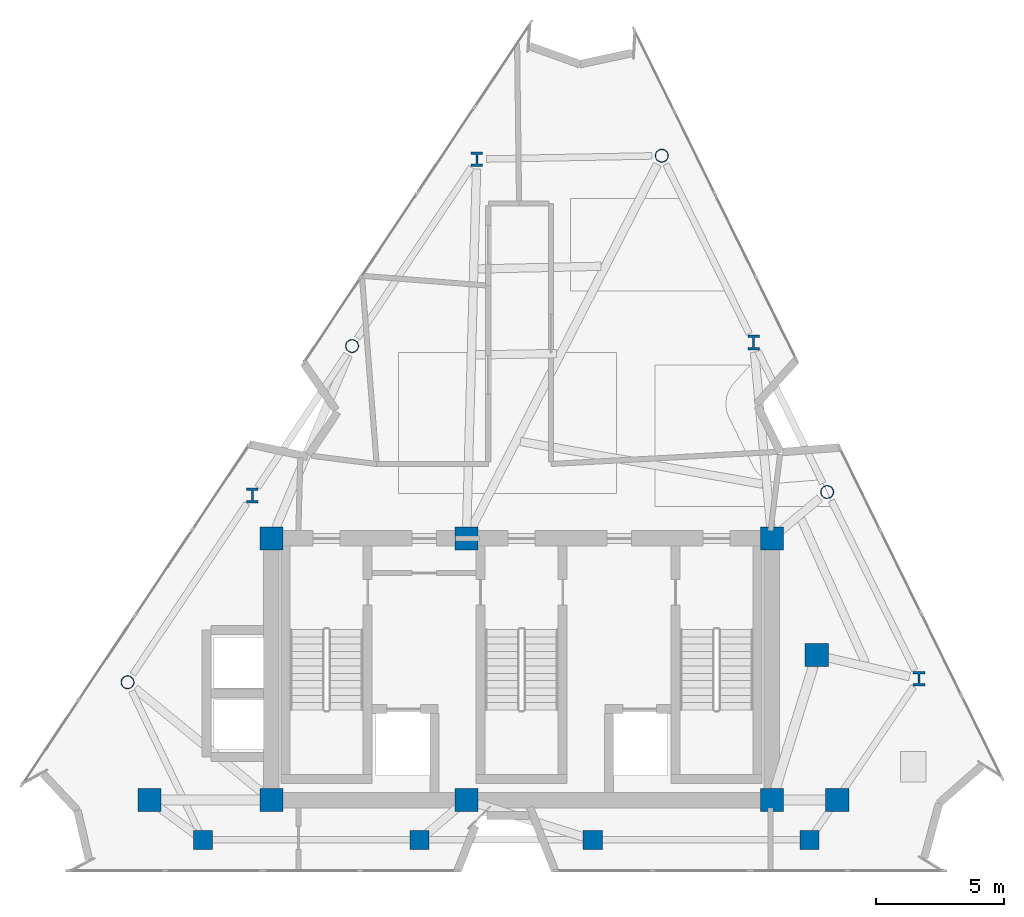
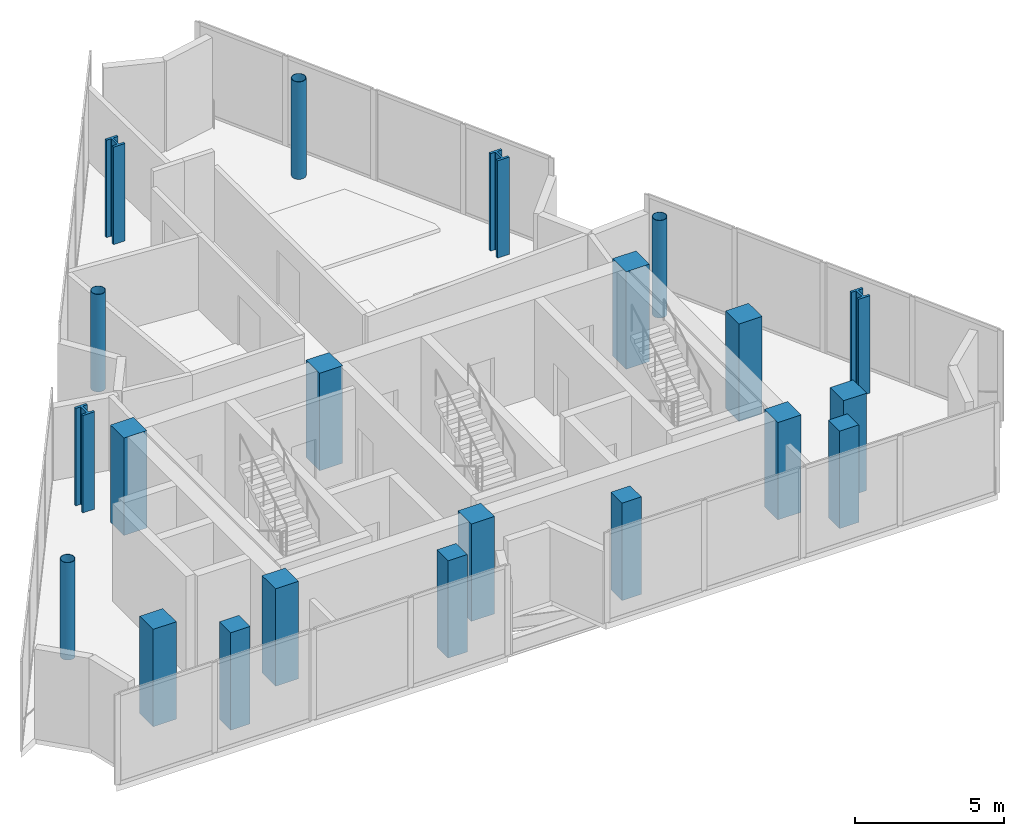
# One storey, part 1 of 9: 21 columns.
"""IFC4 building model written with IfcOpenShell, lengths in metres."""

from ifc_helpers import new_model, si_unit, direction, frame, origin, origin_2d, place, context, subcontext, project, spatial, rectangle, hollow_circle, i_section, extrude, material, material_profile, profile_set, type_object, element, save


model = new_model("IFC4")

# Units and contexts
model_context = context("Model", 3, precision=1e-05, world=origin(), true_north=direction((0.0, 1.0)))
body_context = subcontext(model_context, "Body", "Model", "MODEL_VIEW")
ifc_project = project(units=[si_unit("LENGTHUNIT", "METRE"), si_unit("AREAUNIT", "SQUARE_METRE"), si_unit("VOLUMEUNIT", "CUBIC_METRE"), si_unit("PLANEANGLEUNIT", "RADIAN"), si_unit("MASSUNIT", "GRAM", prefix="KILO")], contexts=[model_context])

# Site, building, storey
site_placement = place(None, origin())
site = spatial("IfcSite", under=ifc_project, at=site_placement, CompositionType="ELEMENT")
building_placement = place(site_placement, origin())
building = spatial("IfcBuilding", under=site, at=building_placement, Name="Almagre Mirador Tower", CompositionType="ELEMENT")
storey_placement = place(building_placement, frame((0.0, 0.0, 298.5)))
storey = spatial("IfcBuildingStorey", under=building, at=storey_placement, Name="L77", CompositionType="ELEMENT", Elevation=298.5)

# Columns
ifc_material_1 = material(Name="Concrete C60/75", Category="concrete")
ifc_material_profile_1 = material_profile(ifc_material_1, rectangle(XDim=0.75, YDim=0.75, at=origin_2d()), Name="RC750X750")
ifc_profile_set_1 = profile_set([ifc_material_profile_1], Name="Concrete C60/75")
column_type_1 = type_object("IfcColumnType", Name="COL-RC750", PredefinedType="COLUMN", material=ifc_profile_set_1)
for number, where, z_axis, x_axis, name in (
    (1, (24.884033203125, 3.0, 0.0), (0.0, 0.0, 1.0), (1.0, 0.0, 0.0), "L77 perimeter column PC01"),
    (2, (33.323974609375, 3.0, 0.0), (0.0, 0.0, 1.0), (1.0, 0.0, 0.0), "L77 perimeter column PC02"),
    (3, (40.075927734375, 3.0, 0.0), (0.0, 0.0, 1.0), (1.0, 0.0, 0.0), "L77 perimeter column PC03"),
    (4, (48.51611328125, 3.0, 0.0), (0.0, 0.0, 1.0), (1.0, 0.0, 0.0), "L77 perimeter column PC04"),
):
    element("IfcColumn", number, at=place(storey_placement, frame(where, z_axis=z_axis, x_axis=x_axis)), inside=storey, type_object=column_type_1, Name=name, PredefinedType="COLUMN", context=body_context, shape_type="SweptSolid", body=[
        extrude(rectangle(XDim=0.75, YDim=0.75, at=origin_2d()), origin(), (0.0, 0.0, 1.0), 4.0),
    ])
ifc_material_2 = material(Name="Concrete C60/75", Category="concrete")
ifc_material_profile_2 = material_profile(ifc_material_2, rectangle(XDim=0.89990234375, YDim=0.89990234375, at=origin_2d()), Name="RC900X900")
ifc_profile_set_2 = profile_set([ifc_material_profile_2], Name="Concrete C60/75")
column_type_2 = type_object("IfcColumnType", Name="COL-RC900", PredefinedType="COLUMN", material=ifc_profile_set_2)
for number, where, z_axis, x_axis, name in (
    (5, (27.550048828125, 4.550048828125, 0.0), (0.0, 0.0, 1.0), (1.0, 0.0, 0.0), "L77 core spine column CC1"),
    (6, (35.14990234375, 4.550048828125, 0.0), (0.0, 0.0, 1.0), (1.0, 0.0, 0.0), "L77 core spine column CC2"),
    (7, (47.050048828125, 4.550048828125, 0.0), (0.0, 0.0, 1.0), (1.0, 0.0, 0.0), "L77 core spine column CC3"),
    (8, (27.550048828125, 14.75, 0.0), (0.0, 0.0, 1.0), (1.0, 0.0, 0.0), "L77 core spine column CC4"),
    (9, (35.14990234375, 14.75, 0.0), (0.0, 0.0, 1.0), (1.0, 0.0, 0.0), "L77 core spine column CC5"),
    (10, (47.050048828125, 14.75, 0.0), (0.0, 0.0, 1.0), (1.0, 0.0, 0.0), "L77 core spine column CC6"),
    (11, (22.800048828125, 4.550048828125, 0.0), (0.0, 0.0, 1.0), (1.0, 0.0, 0.0), "L77 interior transfer column MC1"),
    (12, (49.60009765625, 4.550048828125, 0.0), (0.0, 0.0, 1.0), (1.0, 0.0, 0.0), "L77 interior transfer column MC2"),
    (13, (48.800048828125, 10.199951171875, 0.0), (0.0, 0.0, 1.0), (1.0, 0.0, 0.0), "L77 interior transfer column MC3"),
):
    element("IfcColumn", number, at=place(storey_placement, frame(where, z_axis=z_axis, x_axis=x_axis)), inside=storey, type_object=column_type_2, Name=name, PredefinedType="COLUMN", context=body_context, shape_type="SweptSolid", body=[
        extrude(rectangle(XDim=0.89990234375, YDim=0.89990234375, at=origin_2d()), origin(), (0.0, 0.0, 1.0), 4.0),
    ])
ifc_material_3 = material(Name="Steel ASTM A500 Grade C", Category="steel")
ifc_material_profile_3 = material_profile(ifc_material_3, hollow_circle(Radius=0.25390625, WallThickness=0.01611328125, at=origin_2d()), Name="CHS508X16")
ifc_profile_set_3 = profile_set([ifc_material_profile_3], Name="Steel ASTM A500 Grade C")
column_type_3 = type_object("IfcColumnType", Name="COL-STL-CHS508", PredefinedType="COLUMN", material=ifc_profile_set_3)
for number, where, z_axis, x_axis, name in (
    (14, (49.205078125, 16.55810546875, 0.0), (0.0, 0.0, 1.0), (1.0, 0.0, 0.0), "L77 perimeter column PC06"),
    (15, (42.760986328125, 29.662109375, 0.0), (0.0, 0.0, 1.0), (1.0, 0.0, 0.0), "L77 perimeter column PC08"),
    (16, (30.69189453125, 22.24609375, 0.0), (0.0, 0.0, 1.0), (1.0, 0.0, 0.0), "L77 perimeter column PC10"),
    (17, (21.944091796875, 9.14208984375, 0.0), (0.0, 0.0, 1.0), (1.0, 0.0, 0.0), "L77 perimeter column PC12"),
):
    element("IfcColumn", number, at=place(storey_placement, frame(where, z_axis=z_axis, x_axis=x_axis)), inside=storey, type_object=column_type_3, Name=name, PredefinedType="COLUMN", context=body_context, shape_type="SweptSolid", body=[
        extrude(hollow_circle(Radius=0.25390625, WallThickness=0.01611328125, at=origin_2d()), origin(), (0.0, 0.0, 1.0), 4.0),
    ])
ifc_material_4 = material(Name="Steel ASTM A992 Grade 50", Category="steel")
ifc_material_profile_4 = material_profile(ifc_material_4, i_section(OverallWidth=0.4541015625, OverallDepth=0.570068359375, WebThickness=0.077880859375, FlangeThickness=0.093994140625, FilletRadius=0.02001953125, at=origin_2d()), Name="W14X730")
ifc_profile_set_4 = profile_set([ifc_material_profile_4], Name="Steel ASTM A992 Grade 50")
column_type_4 = type_object("IfcColumnType", Name="COL-STL-W14X730", PredefinedType="COLUMN", material=ifc_profile_set_4)
for number, where, z_axis, x_axis, name in (
    (18, (52.784912109375, 9.278076171875, 0.0), (0.0, 0.0, 1.0), (1.0, 0.0, 0.0), "L77 perimeter column PC05"),
    (19, (46.341064453125, 22.382080078125, 0.0), (0.0, 0.0, 1.0), (1.0, 0.0, 0.0), "L77 perimeter column PC07"),
    (20, (35.552001953125, 29.52587890625, 0.0), (0.0, 0.0, 1.0), (1.0, 0.0, 0.0), "L77 perimeter column PC09"),
    (21, (26.803955078125, 16.422119140625, 0.0), (0.0, 0.0, 1.0), (1.0, 0.0, 0.0), "L77 perimeter column PC11"),
):
    element("IfcColumn", number, at=place(storey_placement, frame(where, z_axis=z_axis, x_axis=x_axis)), inside=storey, type_object=column_type_4, Name=name, PredefinedType="COLUMN", context=body_context, shape_type="SweptSolid", body=[
        extrude(i_section(OverallWidth=0.4541015625, OverallDepth=0.570068359375, WebThickness=0.077880859375, FlangeThickness=0.093994140625, FilletRadius=0.02001953125, at=origin_2d()), origin(), (0.0, 0.0, 1.0), 4.0),
    ])

save(model, "model.ifc")
